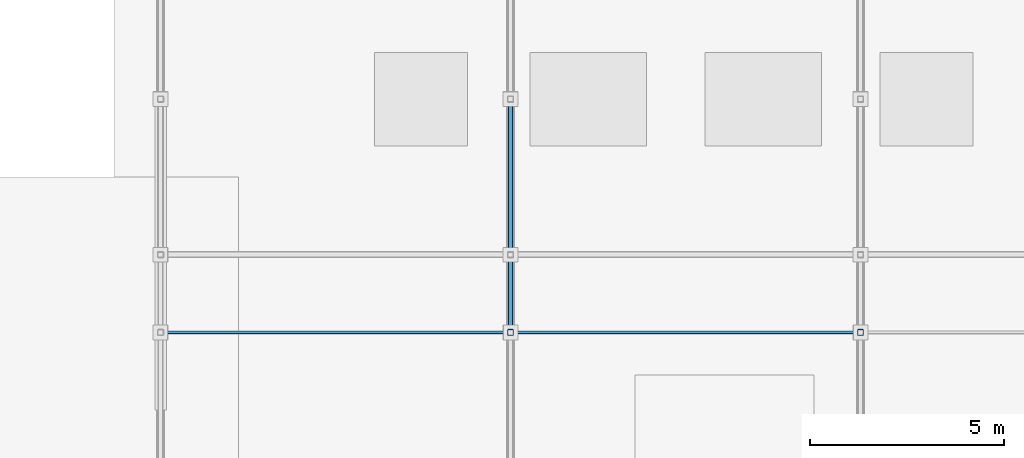
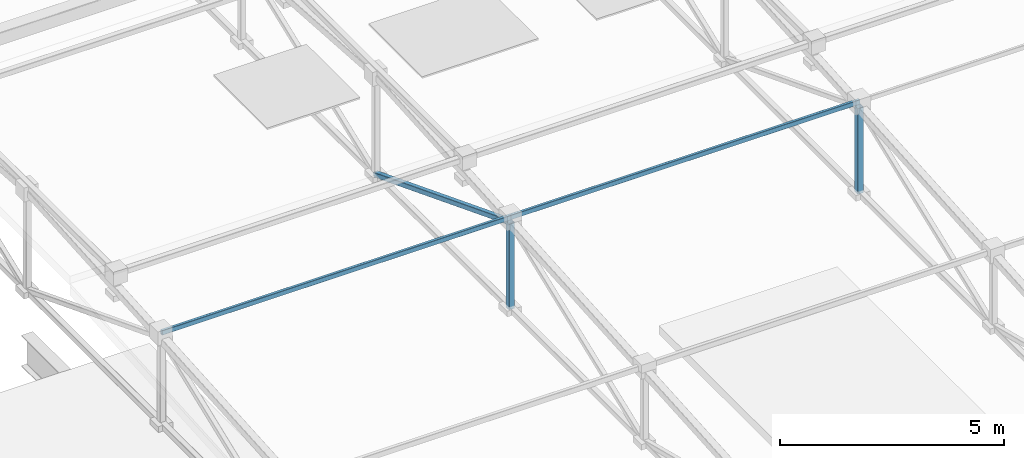
# One storey, part 24 of 85: 5 members.
"""IFC4 building model written with IfcOpenShell, lengths in metres."""

from ifc_helpers import new_model, si_unit, direction, frame, origin, origin_2d, place, context, subcontext, project, spatial, hollow_rectangle, extrude, material, material_profile, profile_set, type_object, element, save


model = new_model("IFC4")

# Units and contexts
model_context = context("Model", 3, precision=1e-05, world=origin(), true_north=direction((0.0, 1.0)))
body_context = subcontext(model_context, "Body", "Model", "MODEL_VIEW")
ifc_project = project(units=[si_unit("LENGTHUNIT", "METRE"), si_unit("AREAUNIT", "SQUARE_METRE"), si_unit("VOLUMEUNIT", "CUBIC_METRE"), si_unit("PLANEANGLEUNIT", "RADIAN"), si_unit("MASSUNIT", "GRAM", prefix="KILO"), si_unit("THERMODYNAMICTEMPERATUREUNIT", "KELVIN"), si_unit("POWERUNIT", "WATT")], contexts=[model_context])

# Site, building, storey
site_placement = place(None, origin())
site = spatial("IfcSite", under=ifc_project, at=site_placement, CompositionType="ELEMENT")
building_placement = place(site_placement, origin())
building = spatial("IfcBuilding", under=site, at=building_placement, Name="Zelmaris Science Centre", CompositionType="ELEMENT")
storey_placement = place(building_placement, frame((0.0, 0.0, 20.39990234375)))
storey = spatial("IfcBuildingStorey", under=building, at=storey_placement, Name="L04", CompositionType="ELEMENT", Elevation=20.39990234375)

# Members
ifc_material = material(Name="Steel ASTM A500 Grade C", Category="steel")
ifc_material_profile_1 = material_profile(ifc_material, hollow_rectangle(XDim=0.076171875, YDim=0.126953125, WallThickness=0.005859375, InnerFilletRadius=0.005859375, OuterFilletRadius=0.01171875, at=origin_2d()), Name="HSS127X76X6")
ifc_profile_set_1 = profile_set([ifc_material_profile_1], Name="Steel ASTM A500 Grade C")
member_type_1 = type_object("IfcMemberType", Name="Roof Purlin PR-06 HSS127X76X6", PredefinedType="PURLIN", material=ifc_profile_set_1)
for number, where, z_axis, x_axis, name in (
    (1, (108.0, 26.0, 3.41845703125), (1.0, 0.0, 0.0), (0.0, 1.0, 0.0), "RF-V4 Roof purlin 4"),
    (2, (117.0, 26.0, 3.41845703125), (1.0, 0.0, 0.0), (0.0, 1.0, 0.0), "RF-V4 Roof purlin 12"),
):
    element("IfcMember", number, at=place(storey_placement, frame(where, z_axis=z_axis, x_axis=x_axis)), inside=storey, type_object=member_type_1, Name=name, PredefinedType="PURLIN", context=body_context, shape_type="SweptSolid", body=[
        extrude(hollow_rectangle(XDim=0.076171875, YDim=0.126953125, WallThickness=0.005859375, InnerFilletRadius=0.005859375, OuterFilletRadius=0.01171875, at=origin_2d()), origin(), (0.0, 0.0, 1.0), 9.0),
    ])
ifc_material_profile_2 = material_profile(ifc_material, hollow_rectangle(XDim=0.15234375, YDim=0.15234375, WallThickness=0.0087890625, InnerFilletRadius=0.0087890625, OuterFilletRadius=0.017822265625, at=origin_2d()), Name="HSS152X152X10")
ifc_profile_set_2 = profile_set([ifc_material_profile_2], Name="Steel ASTM A500 Grade C")
member_type_2 = type_object("IfcMemberType", Name="Structural Brace BR-03 HSS152X152X10", PredefinedType="BRACE", material=ifc_profile_set_2)
for number, where, z_axis, x_axis, name in (
    (3, (117.0, 26.0, 0.947998046875), (0.0, 0.0, 1.0), (1.0, 0.0, 0.0), "RF-V4 Roof truss 2 vertical web 3"),
    (4, (126.0, 26.0, 0.947998046875), (0.0, 0.0, 1.0), (1.0, 0.0, 0.0), "RF-V4 Roof truss 3 vertical web 3"),
):
    element("IfcMember", number, at=place(storey_placement, frame(where, z_axis=z_axis, x_axis=x_axis)), inside=storey, type_object=member_type_2, Name=name, PredefinedType="BRACE", context=body_context, shape_type="SweptSolid", body=[
        extrude(hollow_rectangle(XDim=0.15234375, YDim=0.15234375, WallThickness=0.0087890625, InnerFilletRadius=0.0087890625, OuterFilletRadius=0.017822265625, at=origin_2d()), origin(), (0.0, 0.0, 1.0), 2.33740234375),
    ])
ifc_material_profile_3 = material_profile(ifc_material, hollow_rectangle(XDim=0.126953125, YDim=0.126953125, WallThickness=0.00732421875, InnerFilletRadius=0.00732421875, OuterFilletRadius=0.014892578125, at=origin_2d()), Name="HSS127X127X8")
ifc_profile_set_3 = profile_set([ifc_material_profile_3], Name="Steel ASTM A500 Grade C")
member_type_3 = type_object("IfcMemberType", Name="Structural Brace BR-04 HSS127X127X8", PredefinedType="BRACE", material=ifc_profile_set_3)
member_placement = place(storey_placement, frame((117.0, 26.0, 3.285400390625), z_axis=(0.0, 0.93179104927, -0.362995097075), x_axis=(-1.0, 0.0, 0.0)))
element("IfcMember", 5, at=member_placement, inside=storey, type_object=member_type_3, Name="RF-V4 Roof truss 2 web diagonal 4", PredefinedType="BRACE", context=body_context, shape_type="SweptSolid", body=[
    extrude(hollow_rectangle(XDim=0.126953125, YDim=0.126953125, WallThickness=0.00732421875, InnerFilletRadius=0.00732421875, OuterFilletRadius=0.014892578125, at=origin_2d()), origin(), (0.0, 0.0, 1.0), 6.439208984375),
])

save(model, "model.ifc")
